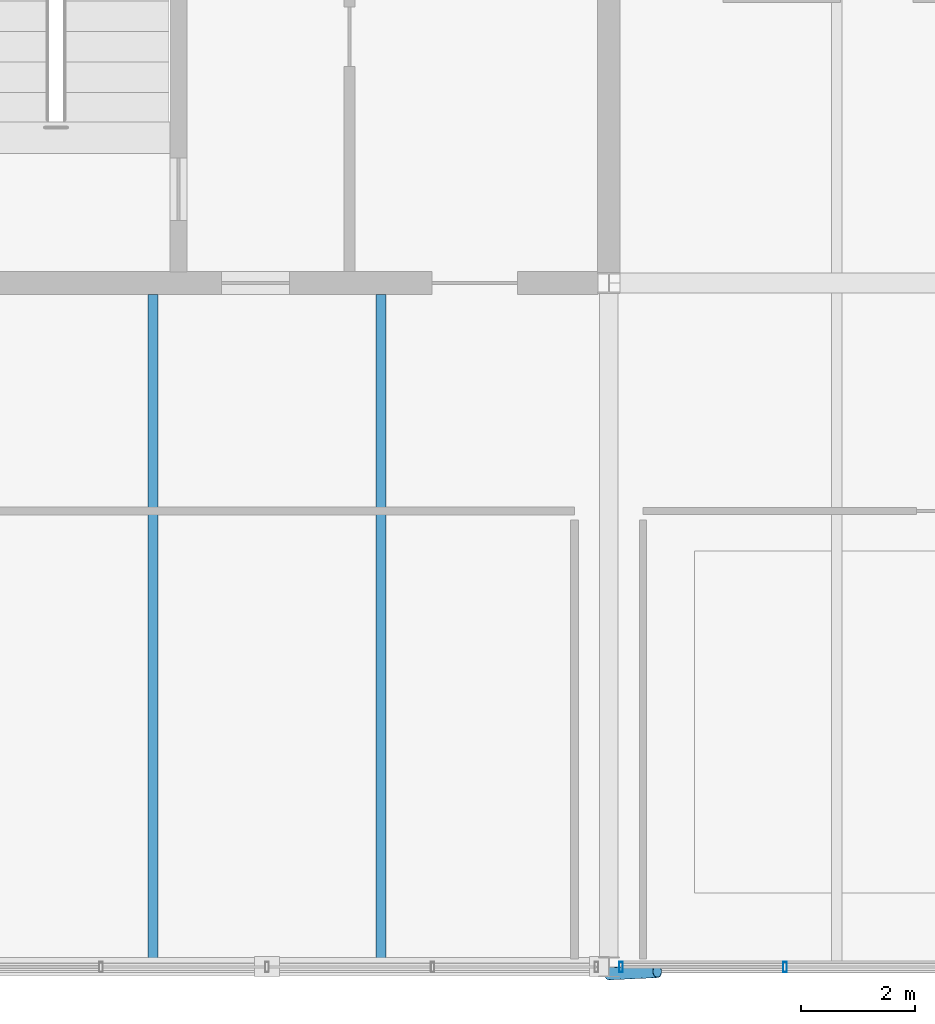
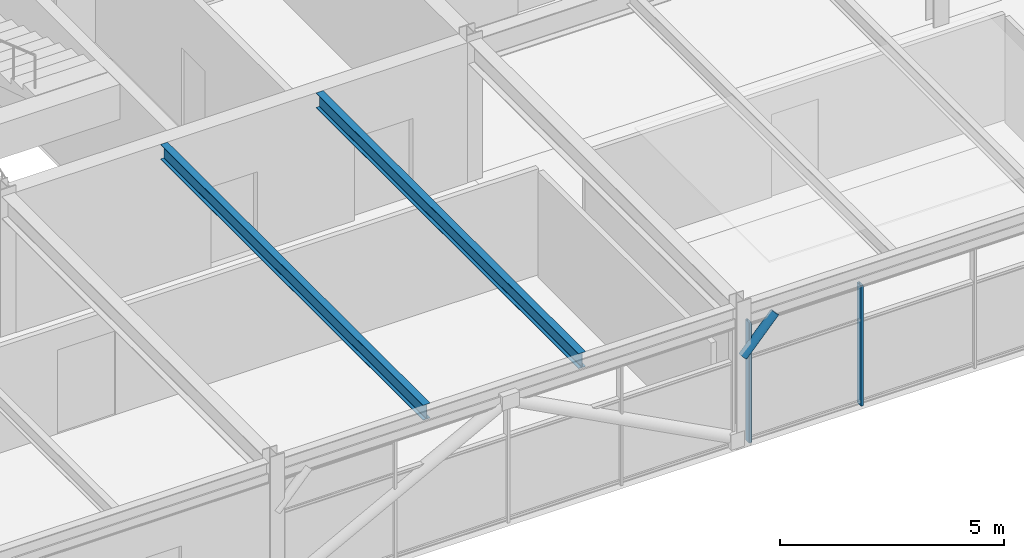
# One storey, part 8 of 40: 3 members, 2 beams, 1 element without a shape of its own.
"""IFC4 building model written with IfcOpenShell, lengths in metres."""

import ifcopenshell
import ifcopenshell.guid

model = None  # the IFC model being written
_history = None  # IfcOwnerHistory: only IFC2X3 demands one
_inside = {}  # id of a spatial element -> (the spatial element, [elements in it])
_under = {}  # id of a project, library or spatial element -> (it, [spatial elements below it])
_declared = {}  # id of a project -> (the project, [libraries it declares])
_typed = {}  # id of a type object -> (the type object, [elements of that type])
_made_of = {}  # id of a material, layer set ... -> (it, [elements and type objects made of it])


def new_model(schema):
    """Start an empty IFC model of exactly this schema.

    Asked for "IFC4X3", IfcOpenShell would pick the latest addendum, in which some entities
    have other attributes; the version numbers below select the first issue.
    IFC2X3 requires an IfcOwnerHistory on every rooted entity: one is made here for all.
    """
    global model, _history
    if schema == "IFC4X3":
        model = ifcopenshell.file(schema_version=(4, 3, 0, 0))
    else:
        model = ifcopenshell.file(schema=schema)
    _inside.clear()
    _under.clear()
    _declared.clear()
    _typed.clear()
    _made_of.clear()
    _history = None
    if model.schema == "IFC2X3":
        org = make("IfcOrganization", Name="unknown")
        user = make(
            "IfcPersonAndOrganization",
            ThePerson=make("IfcPerson", FamilyName="unknown"),
            TheOrganization=org,
        )
        app = make(
            "IfcApplication",
            ApplicationDeveloper=org,
            Version="unknown",
            ApplicationFullName="unknown",
            ApplicationIdentifier="unknown",
        )
        _history = make(
            "IfcOwnerHistory",
            OwningUser=user,
            OwningApplication=app,
            ChangeAction="ADDED",
            CreationDate=0,
        )
    return model


def make(cls, **values):
    """One entity of the class cls with the attributes given. An attribute that is None is left unset."""
    return model.create_entity(
        cls, **{name: value for name, value in values.items() if value is not None}
    )


def rooted(cls, **values):
    """An entity with a GlobalId (a new one), such as an element, a storey or a relation."""
    return make(cls, GlobalId=ifcopenshell.guid.new(), OwnerHistory=_history, **values)


def si_unit(unit_type, name, prefix=None):
    """IfcSIUnit, for example si_unit("LENGTHUNIT", "METRE", prefix="MILLI")."""
    return make("IfcSIUnit", UnitType=unit_type, Prefix=prefix, Name=name)


def assignment(units):
    """IfcUnitAssignment: the units of a project."""
    return None if units is None else make("IfcUnitAssignment", Units=units)


def point(xyz):
    """IfcCartesianPoint."""
    return None if xyz is None else make("IfcCartesianPoint", Coordinates=xyz)


def direction(xyz):
    """IfcDirection."""
    return None if xyz is None else make("IfcDirection", DirectionRatios=xyz)


def frame(location, z_axis=None, x_axis=None):
    """IfcAxis2Placement3D, a coordinate frame: its origin and axes. An axis left out is left unset."""
    return make(
        "IfcAxis2Placement3D",
        Location=point(location),
        Axis=direction(z_axis),
        RefDirection=direction(x_axis),
    )


def frame_2d(location, x_axis=None):
    """IfcAxis2Placement2D, a coordinate frame in the plane: its origin and x axis."""
    return make(
        "IfcAxis2Placement2D", Location=point(location), RefDirection=direction(x_axis)
    )


def origin():
    """The frame at (0, 0, 0) with its axes left unset."""
    return frame((0.0, 0.0, 0.0))


def origin_2d():
    """The frame at (0, 0) in the plane with its x axis left unset."""
    return frame_2d((0.0, 0.0))


def place(relative_to, where):
    """IfcLocalPlacement: puts the frame where relative to a parent placement (None: the world)."""
    return make(
        "IfcLocalPlacement", PlacementRelTo=relative_to, RelativePlacement=where
    )


def context(
    kind, dimensions, precision=None, world=None, true_north=None, identifier=None
):
    """IfcGeometricRepresentationContext, for example the 3D "Model" context."""
    return make(
        "IfcGeometricRepresentationContext",
        ContextIdentifier=identifier,
        ContextType=kind,
        CoordinateSpaceDimension=dimensions,
        Precision=precision,
        WorldCoordinateSystem=world,
        TrueNorth=true_north,
    )


def subcontext(parent, identifier, kind, view, scale=None):
    """IfcGeometricRepresentationSubContext, for example "Body" below "Model"."""
    return make(
        "IfcGeometricRepresentationSubContext",
        ContextIdentifier=identifier,
        ContextType=kind,
        ParentContext=parent,
        TargetScale=scale,
        TargetView=view,
    )


def project(units=None, contexts=None):
    """IfcProject with its units and contexts."""
    return rooted(
        "IfcProject",
        Name="project",
        RepresentationContexts=contexts,
        UnitsInContext=assignment(units),
    )


def spatial(cls, under=None, at=None, **own):
    """A site, building, storey or space (cls), placed at a placement, below another one or the project."""
    s = rooted(cls, ObjectPlacement=at, **own)
    if under is not None:
        _under.setdefault(under.id(), (under, []))[1].append(s)
    return s


def profile(cls, at=None, kind="AREA", **sizes):
    """A parametric profile (cls). Its sizes go by their IFC names, for example OverallWidth=200.0."""
    return make(cls, ProfileType=kind, Position=at, **sizes)


def hollow_rectangle(**sizes):
    """IfcRectangleHollowProfileDef."""
    return profile("IfcRectangleHollowProfileDef", **sizes)


def hollow_circle(**sizes):
    """IfcCircleHollowProfileDef."""
    return profile("IfcCircleHollowProfileDef", **sizes)


def i_section(**sizes):
    """IfcIShapeProfileDef."""
    return profile("IfcIShapeProfileDef", **sizes)


def extrude(swept, where, along, depth):
    """IfcExtrudedAreaSolid: the profile swept, set in the frame where, extruded along a direction by depth."""
    return make(
        "IfcExtrudedAreaSolid",
        SweptArea=swept,
        Position=where,
        ExtrudedDirection=direction(along),
        Depth=depth,
    )


def shape(context_of_items, identifier, shape_type, items):
    """IfcShapeRepresentation: the items that make up one representation, for example the "Body"."""
    return make(
        "IfcShapeRepresentation",
        ContextOfItems=context_of_items,
        RepresentationIdentifier=identifier,
        RepresentationType=shape_type,
        Items=items,
    )


def material(Name=None, Category=None):
    """IfcMaterial."""
    return make("IfcMaterial", Name=Name, Category=Category)


def material_profile(
    of_material, cross_section, Name=None, Category=None, Priority=None
):
    """IfcMaterialProfile: a cross section and its material."""
    return make(
        "IfcMaterialProfile",
        Name=Name,
        Material=of_material,
        Profile=cross_section,
        Priority=Priority,
        Category=Category,
    )


def profile_set(profiles, Name=None, composite=None):
    """IfcMaterialProfileSet."""
    return make(
        "IfcMaterialProfileSet",
        Name=Name,
        MaterialProfiles=profiles,
        CompositeProfile=composite,
    )


def made_of(thing, what):
    """Note that an element or type object is made of a material, layer set ...; save() writes the relation."""
    if what is not None:
        _made_of.setdefault(what.id(), (what, []))[1].append(thing)
    return thing


def type_object(cls, material=None, **own):
    """A type object (cls), such as IfcWallType, which elements share."""
    return made_of(rooted(cls, **own), material)


def element(
    cls,
    number,
    at=None,
    inside=None,
    cuts=None,
    type_object=None,
    material=None,
    context=None,
    identifier="Body",
    shape_type=None,
    held_by="IfcProductDefinitionShape",
    body=None,
    shapes=None,
    **own,
):
    """One element of the class cls, such as IfcWall. Its Tag is "e" and its number.

    at: its placement. inside: the storey or other place that contains it. cuts: it is an
    opening in that element (IfcRelVoidsElement). A single representation is given by context,
    identifier, shape_type and body (its items); several are given by shapes. held_by: the class
    of the entity that holds the representations. save() writes the other relations.
    """
    e = rooted(cls, Tag="e%d" % number, ObjectPlacement=at, **own)
    if body is not None:
        shapes = [shape(context, identifier, shape_type, body)]
    if shapes is not None:
        e.Representation = make(held_by, Representations=shapes)
    if inside is not None:
        _inside.setdefault(inside.id(), (inside, []))[1].append(e)
    if cuts is not None:
        rooted(
            "IfcRelVoidsElement", RelatingBuildingElement=cuts, RelatedOpeningElement=e
        )
    if type_object is not None:
        _typed.setdefault(type_object.id(), (type_object, []))[1].append(e)
    return made_of(e, material)


def aggregate(whole, parts):
    """IfcRelAggregates: a whole, such as a stair, and the parts it consists of."""
    return rooted("IfcRelAggregates", RelatingObject=whole, RelatedObjects=parts)


def save(model, path):
    """Write the relations noted so far, then the file.

    IfcRelAggregates (storeys below a building ...), IfcRelContainedInSpatialStructure (elements
    in a storey), IfcRelDefinesByType, IfcRelAssociatesMaterial and IfcRelDeclares: one each for
    every whole, place, type object, material and project.
    """
    for whole, parts in _under.values():
        aggregate(whole, parts)
    for where, things in _inside.values():
        rooted(
            "IfcRelContainedInSpatialStructure",
            RelatedElements=things,
            RelatingStructure=where,
        )
    for kind, things in _typed.values():
        rooted("IfcRelDefinesByType", RelatedObjects=things, RelatingType=kind)
    for what, things in _made_of.values():
        rooted("IfcRelAssociatesMaterial", RelatedObjects=things, RelatingMaterial=what)
    for by, libraries in _declared.values():
        rooted("IfcRelDeclares", RelatingContext=by, RelatedDefinitions=libraries)
    model.write(path)


model = new_model("IFC4")

# Units and contexts
model_context = context("Model", 3, precision=1e-05, world=origin(), true_north=direction((0.0, 1.0)))
body_context = subcontext(model_context, "Body", "Model", "MODEL_VIEW")
ifc_project = project(units=[si_unit("LENGTHUNIT", "METRE"), si_unit("AREAUNIT", "SQUARE_METRE"), si_unit("VOLUMEUNIT", "CUBIC_METRE"), si_unit("PLANEANGLEUNIT", "RADIAN"), si_unit("MASSUNIT", "GRAM", prefix="KILO")], contexts=[model_context])

# Site, building, storey
site_placement = place(None, origin())
site = spatial("IfcSite", under=ifc_project, at=site_placement, CompositionType="ELEMENT")
building_placement = place(site_placement, origin())
building = spatial("IfcBuilding", under=site, at=building_placement, Name="Girod Span Mobility Hub", CompositionType="ELEMENT")
storey_placement = place(building_placement, frame((0.0, 0.0, 53.60009765625)))
storey = spatial("IfcBuildingStorey", under=building, at=storey_placement, Name="L13", CompositionType="ELEMENT", Elevation=53.60009765625)

# Beams
ifc_material_1 = material(Name="Steel A992 Grade 50", Category="steel")
ifc_material_profile_1 = material_profile(ifc_material_1, i_section(OverallWidth=0.178955078125, OverallDepth=0.409912109375, WebThickness=0.0087890625, FlangeThickness=0.014404296875, FilletRadius=0.012939453125, at=origin_2d()), Name="W16X45")
ifc_profile_set_1 = profile_set([ifc_material_profile_1], Name="Steel A992 Grade 50")
beam_type = type_object("IfcBeamType", Name="BM-STL-W16X45", PredefinedType="BEAM", material=ifc_profile_set_1)
for number, where, z_axis, x_axis, name in (
    (1, (52.0, 45.10302734375, 3.60986328125), (0.0, 1.0, 0.0), (-1.0, 0.0, 0.0), "Composite Floorbeam 5/D-1 L13"),
    (2, (56.0, 45.10302734375, 3.60986328125), (0.0, 1.0, 0.0), (-1.0, 0.0, 0.0), "Composite Floorbeam 5/D-2 L13"),
):
    element("IfcBeam", number, at=place(storey_placement, frame(where, z_axis=z_axis, x_axis=x_axis)), inside=storey, type_object=beam_type, Name=name, PredefinedType="BEAM", context=body_context, shape_type="SweptSolid", body=[
        extrude(i_section(OverallWidth=0.178955078125, OverallDepth=0.409912109375, WebThickness=0.0087890625, FlangeThickness=0.014404296875, FilletRadius=0.012939453125, at=origin_2d()), origin(), (0.0, 0.0, 1.0), 11.699951171875),
    ])

# Curtain wall, members
ifc_material_2 = material(Name="Thermally Broken Anodised Aluminium", Category="aluminium")
curtain_wall_type = type_object("IfcCurtainWallType", Name="CW-1164X327", PredefinedType="USERDEFINED", material=ifc_material_2)
curtain_wall_placement = place(storey_placement, origin())
curtain_wall = element("IfcCurtainWall", 3, at=curtain_wall_placement, inside=storey, type_object=curtain_wall_type, Name="Unitised Curtain Wall CW-L13-S06 L13", ObjectType="UNITISED CURTAIN WALL", PredefinedType="USERDEFINED")
ifc_material_3 = material(Name="Thermally Broken Anodised Aluminium", Category="aluminium")
ifc_material_profile_2 = material_profile(ifc_material_3, hollow_rectangle(XDim=0.179931640625, YDim=0.06494140625, WallThickness=0.00390625, InnerFilletRadius=0.00390625, OuterFilletRadius=0.008056640625, at=origin_2d()), Name="CW-ML-65X180")
ifc_profile_set_2 = profile_set([ifc_material_profile_2], Name="Thermally Broken Anodised Aluminium")
member_type_1 = type_object("IfcMemberType", Name="CWM-ML-2", PredefinedType="MULLION", material=ifc_profile_set_2)
member_1_placement = place(storey_placement, frame((60.214599609375, 45.0, 0.0), z_axis=(0.0, 0.0, 1.0), x_axis=(0.0, 1.0, 0.0)))
member_1 = element("IfcMember", 4, at=member_1_placement, type_object=member_type_1, Name="Curtain Wall Mullion CW-L13-S06-M0", PredefinedType="MULLION", context=body_context, shape_type="SweptSolid", body=[
    extrude(hollow_rectangle(XDim=0.179931640625, YDim=0.06494140625, WallThickness=0.00390625, InnerFilletRadius=0.00390625, OuterFilletRadius=0.008056640625, at=origin_2d()), origin(), (0.0, 0.0, 1.0), 3.27099609375),
])
member_2_placement = place(storey_placement, frame((63.09130859375, 45.0, 0.0), z_axis=(0.0, 0.0, 1.0), x_axis=(0.0, 1.0, 0.0)))
member_2 = element("IfcMember", 5, at=member_2_placement, type_object=member_type_1, Name="Curtain Wall Mullion CW-L13-S06-M1", PredefinedType="MULLION", context=body_context, shape_type="SweptSolid", body=[
    extrude(hollow_rectangle(XDim=0.179931640625, YDim=0.06494140625, WallThickness=0.00390625, InnerFilletRadius=0.00390625, OuterFilletRadius=0.008056640625, at=origin_2d()), origin(), (0.0, 0.0, 1.0), 3.27099609375),
])
aggregate(curtain_wall, [member_1, member_2])

# Member
ifc_material_4 = material(Name="Steel HSS A500 Grade C", Category="steel")
ifc_material_profile_3 = material_profile(ifc_material_4, hollow_circle(Radius=0.109619140625, WallThickness=0.0087890625, at=origin_2d()), Name="HSS219X9.5")
ifc_profile_set_3 = profile_set([ifc_material_profile_3], Name="Steel HSS A500 Grade C")
member_type_2 = type_object("IfcMemberType", Name="MB-ST-HSS219", PredefinedType="STRUT", material=ifc_profile_set_3)
member_3_placement = place(storey_placement, frame((60.0, 44.8798828125, 2.449951171875), z_axis=(0.692370429022, 0.032610209753, 0.720804941184), x_axis=(-0.047047213483, 0.998892666758, 0.0)))
element("IfcMember", 6, at=member_3_placement, inside=storey, type_object=member_type_2, Name="Solar Shading Knee Strut 6 L13", PredefinedType="STRUT", context=body_context, shape_type="SweptSolid", body=[
    extrude(hollow_circle(Radius=0.109619140625, WallThickness=0.0087890625, at=origin_2d()), origin(), (0.0, 0.0, 1.0), 1.227783203125),
])

save(model, "model.ifc")
